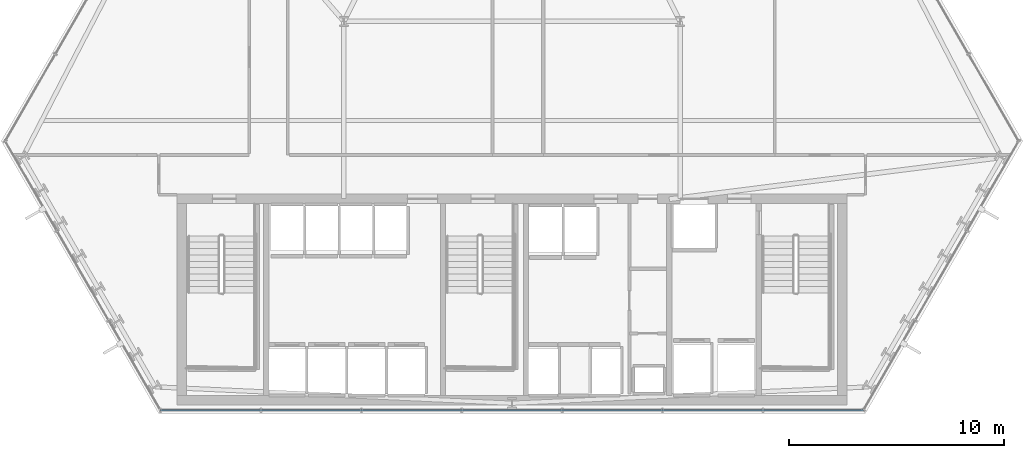
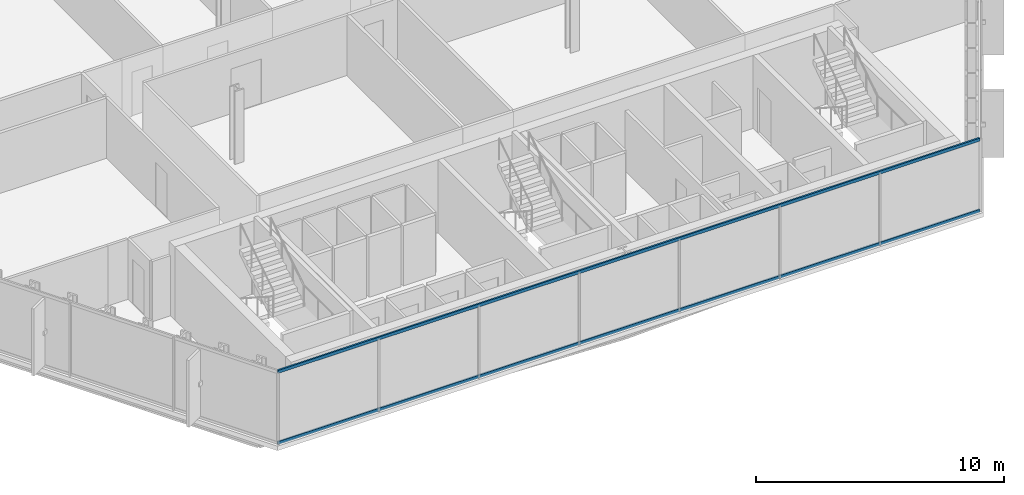
# One storey, part 8 of 33: 2 members, 1 element without a shape of its own.
"""IFC4 building model written with IfcOpenShell, lengths in metres."""

from ifc_helpers import new_model, si_unit, direction, frame, origin, origin_2d, place, context, subcontext, project, spatial, hollow_rectangle, extrude, material, layer, layer_set, material_profile, profile_set, type_object, element, aggregate, save


model = new_model("IFC4")

# Units and contexts
model_context = context("Model", 3, precision=1e-05, world=origin(), true_north=direction((0.0, 1.0)))
body_context = subcontext(model_context, "Body", "Model", "MODEL_VIEW")
ifc_project = project(units=[si_unit("LENGTHUNIT", "METRE"), si_unit("AREAUNIT", "SQUARE_METRE"), si_unit("VOLUMEUNIT", "CUBIC_METRE"), si_unit("PLANEANGLEUNIT", "RADIAN"), si_unit("MASSUNIT", "GRAM", prefix="KILO")], contexts=[model_context])

# Site, building, storey
site_placement = place(None, origin())
site = spatial("IfcSite", under=ifc_project, at=site_placement, CompositionType="ELEMENT")
building_placement = place(site_placement, origin())
building = spatial("IfcBuilding", under=site, at=building_placement, Name="Ndaravel Arena Tower", CompositionType="ELEMENT")
storey_placement = place(building_placement, frame((0.0, 0.0, 85.39990234375)))
storey = spatial("IfcBuildingStorey", under=building, at=storey_placement, Name="L19", CompositionType="ELEMENT", Elevation=85.39990234375)

# Curtain wall, members
ifc_material_1 = material(Name="Aluminium", Category="aluminium")
ifc_layer = layer(ifc_material_1, 0.179931640625)
ifc_layer_set = layer_set([ifc_layer], Name="Aluminium")
curtain_wall_type = type_object("IfcCurtainWallType", Name="CW-SYS-03", PredefinedType="NOTDEFINED", material=ifc_layer_set)
curtain_wall_placement = place(storey_placement, origin())
curtain_wall = element("IfcCurtainWall", 1, at=curtain_wall_placement, inside=storey, type_object=curtain_wall_type, Name="L19 Faceted Crystal Curtain Wall CW-L19-E01", PredefinedType="NOTDEFINED")
ifc_material_2 = material(Name="Aluminium", Category="aluminium")
ifc_material_profile = material_profile(ifc_material_2, hollow_rectangle(XDim=0.074951171875, YDim=0.14990234375, WallThickness=0.00390625, at=origin_2d()), Name="CW TRANSOM 75x150x4")
ifc_profile_set = profile_set([ifc_material_profile], Name="Aluminium")
member_type = type_object("IfcMemberType", Name="MEM-CW-TRN150", PredefinedType="USERDEFINED", material=ifc_profile_set)
member_1_placement = place(storey_placement, frame((25.691162109375, 5.159912109375, 0.0400390625), z_axis=(1.0, 0.0, 0.0), x_axis=(0.0, 1.0, 0.0)))
member_1 = element("IfcMember", 2, at=member_1_placement, type_object=member_type, Name="CW-L19-E01 Transom 01", ObjectType="TRANSOM", PredefinedType="USERDEFINED", context=body_context, shape_type="SweptSolid", body=[
    extrude(hollow_rectangle(XDim=0.074951171875, YDim=0.14990234375, WallThickness=0.00390625, at=origin_2d()), origin(), (0.0, 0.0, 1.0), 32.61767578125),
])
member_2_placement = place(storey_placement, frame((25.691162109375, 5.159912109375, 3.5400390625), z_axis=(1.0, 0.0, 0.0), x_axis=(0.0, 1.0, 0.0)))
member_2 = element("IfcMember", 3, at=member_2_placement, type_object=member_type, Name="CW-L19-E01 Transom 02", ObjectType="TRANSOM", PredefinedType="USERDEFINED", context=body_context, shape_type="SweptSolid", body=[
    extrude(hollow_rectangle(XDim=0.074951171875, YDim=0.14990234375, WallThickness=0.00390625, at=origin_2d()), origin(), (0.0, 0.0, 1.0), 32.61767578125),
])
aggregate(curtain_wall, [member_1, member_2])

save(model, "model.ifc")
